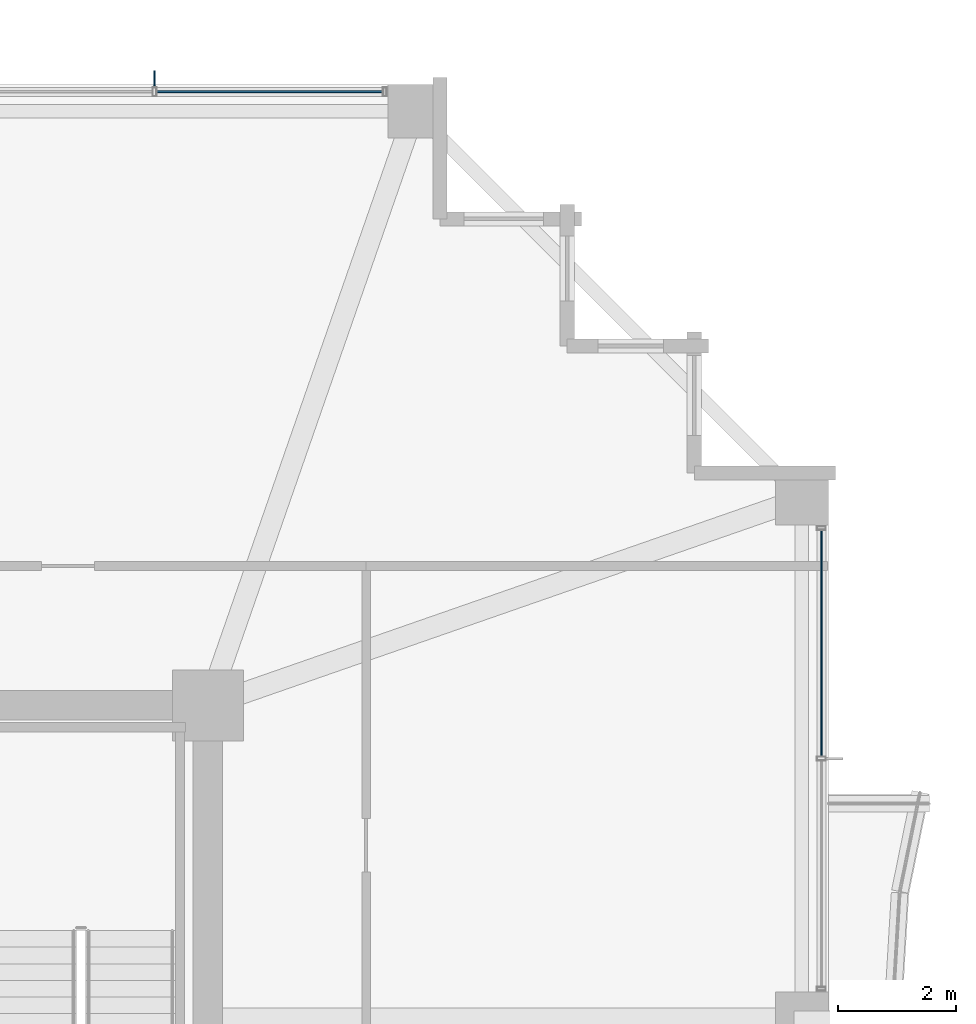
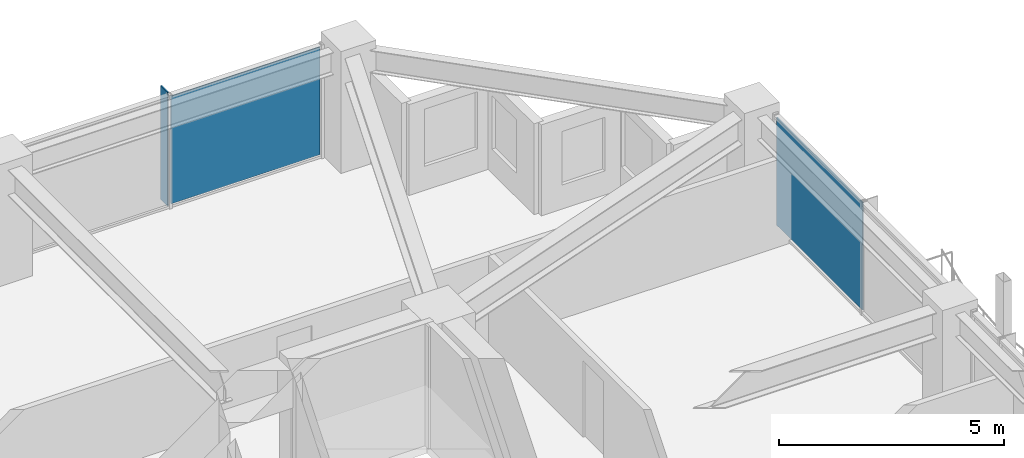
# One storey, part 28 of 35: 3 plates, 2 elements without a shape of their own.
"""IFC4 building model written with IfcOpenShell, lengths in metres."""

from ifc_helpers import new_model, si_unit, direction, frame, origin, origin_2d, place, context, subcontext, project, spatial, rectangle, extrude, material, layer, layer_set, type_object, element, aggregate, save


model = new_model("IFC4")

# Units and contexts
model_context = context("Model", 3, precision=1e-05, world=origin(), true_north=direction((0.0, 1.0)))
body_context = subcontext(model_context, "Body", "Model", "MODEL_VIEW")
ifc_project = project(units=[si_unit("LENGTHUNIT", "METRE"), si_unit("AREAUNIT", "SQUARE_METRE"), si_unit("VOLUMEUNIT", "CUBIC_METRE"), si_unit("PLANEANGLEUNIT", "RADIAN"), si_unit("MASSUNIT", "GRAM", prefix="KILO")], contexts=[model_context])

# Site, building, storey
site_placement = place(None, origin())
site = spatial("IfcSite", under=ifc_project, at=site_placement, CompositionType="ELEMENT")
building_placement = place(site_placement, origin())
building = spatial("IfcBuilding", under=site, at=building_placement, Name="Kolvaren Belvedere", CompositionType="ELEMENT")
storey_placement = place(building_placement, frame((0.0, 0.0, 183.300048828125)))
storey = spatial("IfcBuildingStorey", under=building, at=storey_placement, Name="L53", CompositionType="ELEMENT", Elevation=183.300048828125)

# Curtain wall, plate
ifc_material_1 = material(Name="Anodised pale-metal aluminium AA 6063-T6", Category="aluminium")
curtain_wall_type = type_object("IfcCurtainWallType", Name="CW-Z5-HIGH", PredefinedType="NOTDEFINED", material=ifc_material_1)
curtain_wall_1_placement = place(storey_placement, origin())
curtain_wall_1 = element("IfcCurtainWall", 1, at=curtain_wall_1_placement, inside=storey, type_object=curtain_wall_type, Name="L53 Unitised Curtain Wall FCW-L53-E1-B1", PredefinedType="NOTDEFINED")
ifc_material_2 = material(Name="Low-iron triple insulated glass", Category="glass")
ifc_layer_1 = layer(ifc_material_2, 0.028076171875)
ifc_layer_set_1 = layer_set([ifc_layer_1], Name="Low-iron triple insulated glass")
plate_type_1 = type_object("IfcPlateType", Name="CW-PNL-VIS28", PredefinedType="CURTAIN_PANEL", material=ifc_layer_set_1)
plate_1_placement = place(storey_placement, frame((20.280029296875, 10.947509765625, 0.080078125), z_axis=(0.0, 0.0, 1.0), x_axis=(0.0, -1.0, 0.0)))
plate_1 = element("IfcPlate", 2, at=plate_1_placement, type_object=plate_type_1, Name="FCW-L53-E1-B1 Vision Glazing Panel 1", PredefinedType="CURTAIN_PANEL", context=body_context, shape_type="SweptSolid", body=[
    extrude(rectangle(XDim=3.81494140625, YDim=0.028076171875, at=origin_2d()), origin(), (0.0, 0.0, 1.0), 2.919921875),
])
aggregate(curtain_wall_1, [plate_1])

curtain_wall_2_placement = place(storey_placement, origin())
curtain_wall_2 = element("IfcCurtainWall", 3, at=curtain_wall_2_placement, inside=storey, type_object=curtain_wall_type, Name="L53 Unitised Curtain Wall FCW-L53-N-B3", PredefinedType="NOTDEFINED")
plate_2_placement = place(storey_placement, frame((10.947509765625, 20.280029296875, 0.080078125), z_axis=(0.0, 0.0, 1.0), x_axis=(1.0, 0.0, 0.0)))
plate_2 = element("IfcPlate", 4, at=plate_2_placement, type_object=plate_type_1, Name="FCW-L53-N-B3 Vision Glazing Panel 2", PredefinedType="CURTAIN_PANEL", context=body_context, shape_type="SweptSolid", body=[
    extrude(rectangle(XDim=3.81494140625, YDim=0.028076171875, at=origin_2d()), origin(), (0.0, 0.0, 1.0), 2.919921875),
])
aggregate(curtain_wall_2, [plate_2])

# Plate
ifc_material_3 = material(Name="Anodised pale-metal aluminium AA 6063-T6", Category="aluminium")
ifc_layer_2 = layer(ifc_material_3, 0.030029296875)
ifc_layer_set_2 = layer_set([ifc_layer_2], Name="Anodised pale-metal aluminium AA 6063-T6")
plate_type_2 = type_object("IfcPlateType", Name="FIN-VERT-300", PredefinedType="USERDEFINED", material=ifc_layer_set_2)
plate_3_placement = place(storey_placement, frame((9.0, 20.489990234375, 0.0), z_axis=(0.0, 0.0, 1.0), x_axis=(0.0, 1.0, 0.0)))
element("IfcPlate", 5, at=plate_3_placement, inside=storey, type_object=plate_type_2, Name="L53 Pale-Metal Vertical Shading Fin FCW-L53-N-B3-1", ObjectType="VERTICAL FIN", PredefinedType="USERDEFINED", context=body_context, shape_type="SweptSolid", body=[
    extrude(rectangle(XDim=0.300048828125, YDim=0.030029296875, at=origin_2d()), origin(), (0.0, 0.0, 1.0), 3.080078125),
])

save(model, "model.ifc")
